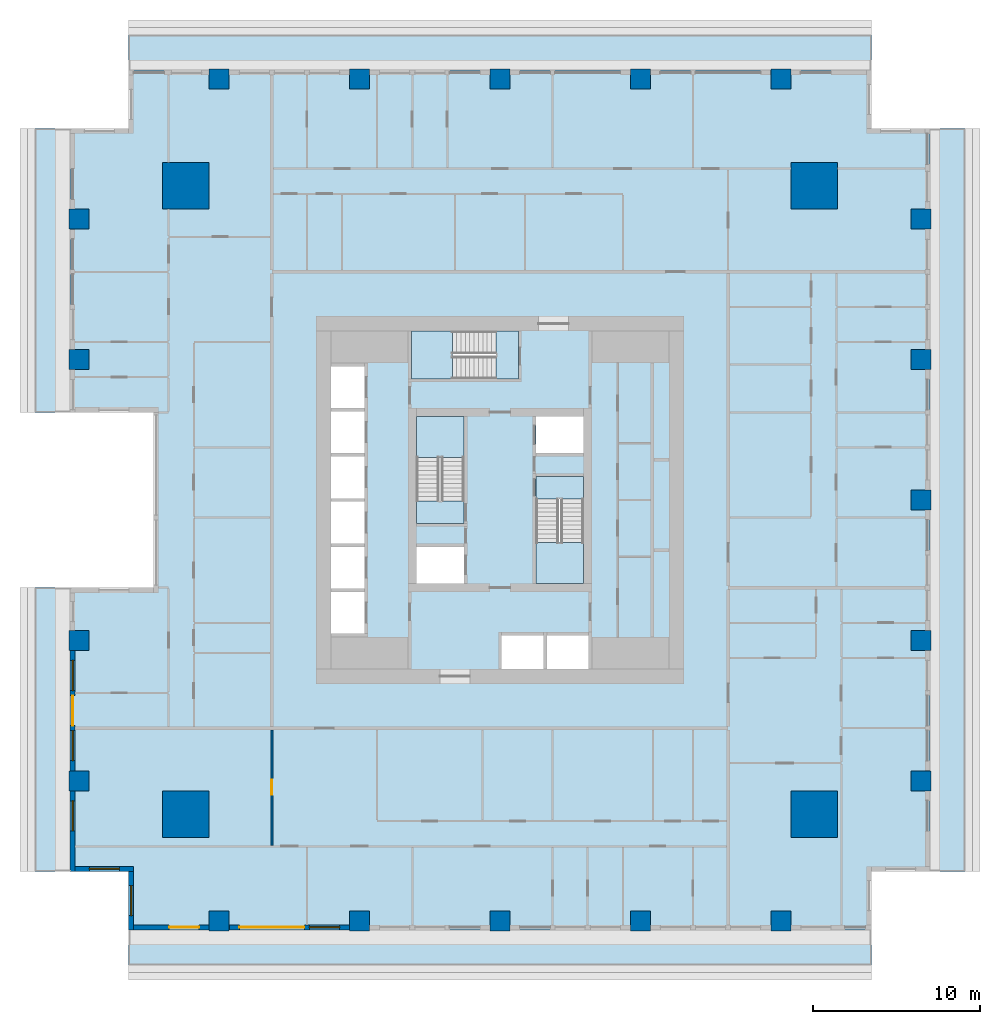
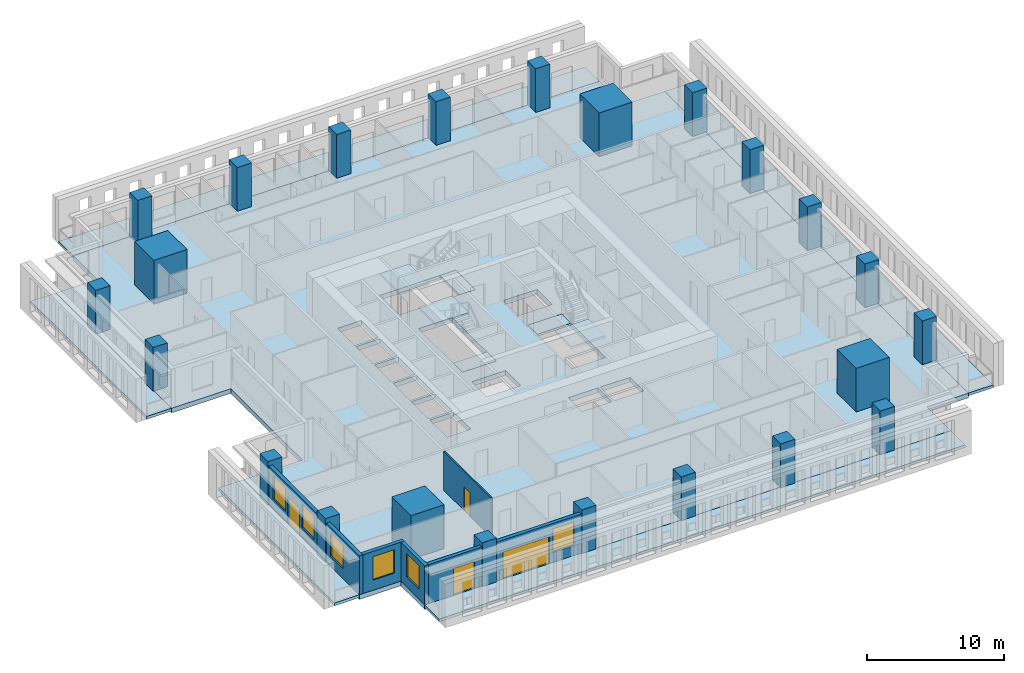
# One storey, part 1 of 14: 23 columns, 12 slabs, 7 walls, 6 windows, 4 doors, 10 openings, 3 elements without a shape of their own.
"""IFC4 building model written with IfcOpenShell, lengths in metres."""

from ifc_helpers import new_model, si_unit, direction, frame, frame_2d, origin, origin_2d, place, context, subcontext, project, spatial, polyline, rectangle, outline, extrude, material, layer, layer_set, material_profile, profile_set, type_object, element, fill, aggregate, save


model = new_model("IFC4")

# Units and contexts
model_context = context("Model", 3, precision=1e-05, world=origin(), true_north=direction((0.0, 1.0)))
body_context = subcontext(model_context, "Body", "Model", "MODEL_VIEW")
ifc_project = project(units=[si_unit("LENGTHUNIT", "METRE"), si_unit("AREAUNIT", "SQUARE_METRE"), si_unit("VOLUMEUNIT", "CUBIC_METRE"), si_unit("PLANEANGLEUNIT", "RADIAN"), si_unit("MASSUNIT", "GRAM", prefix="KILO")], contexts=[model_context])

# Site, building, storey
site_placement = place(None, origin())
site = spatial("IfcSite", under=ifc_project, at=site_placement, CompositionType="ELEMENT")
building_placement = place(site_placement, origin())
building = spatial("IfcBuilding", under=site, at=building_placement, Name="Khepri Terraces", CompositionType="ELEMENT")
storey_placement = place(building_placement, frame((0.0, 0.0, 90.89990234375)))
storey = spatial("IfcBuildingStorey", under=building, at=storey_placement, Name="L21", CompositionType="ELEMENT", Elevation=90.89990234375)

# Columns
ifc_material_1 = material(Name="Concrete C70/85", Category="concrete")
ifc_material_profile_1 = material_profile(ifc_material_1, rectangle(XDim=2.800048828125, YDim=2.800048828125, at=origin_2d()), Name="Concrete C70/85", Category="concrete")
ifc_profile_set_1 = profile_set([ifc_material_profile_1], Name="Concrete C70/85")
column_type_1 = type_object("IfcColumnType", Name="Mega column RC 2800x2800 C70/85", PredefinedType="COLUMN", material=ifc_profile_set_1)
for number, where, z_axis, x_axis, name in (
    (1, (18.800048828125, 18.800048828125, 0.0), (0.0, 0.0, 1.0), (1.0, 0.0, 0.0), "Mega column MEN L21"),
    (2, (18.800048828125, -18.800048828125, 0.0), (0.0, 0.0, 1.0), (1.0, 0.0, 0.0), "Mega column MES L21"),
    (3, (-18.800048828125, 18.800048828125, 0.0), (0.0, 0.0, 1.0), (1.0, 0.0, 0.0), "Mega column MWN L21"),
    (4, (-18.800048828125, -18.800048828125, 0.0), (0.0, 0.0, 1.0), (1.0, 0.0, 0.0), "Mega column MWS L21"),
):
    element("IfcColumn", number, at=place(storey_placement, frame(where, z_axis=z_axis, x_axis=x_axis)), inside=storey, type_object=column_type_1, Name=name, PredefinedType="COLUMN", context=body_context, shape_type="SweptSolid", body=[
        extrude(rectangle(XDim=2.800048828125, YDim=2.800048828125, at=origin_2d()), origin(), (0.0, 0.0, 1.0), 3.900146484375),
    ])
ifc_material_profile_2 = material_profile(ifc_material_1, rectangle(XDim=1.199951171875, YDim=1.199951171875, at=origin_2d()), Name="Concrete C70/85", Category="concrete")
ifc_profile_set_2 = profile_set([ifc_material_profile_2], Name="Concrete C70/85")
column_type_2 = type_object("IfcColumnType", Name="Tower column RC 1200x1200 C70/85", PredefinedType="COLUMN", material=ifc_profile_set_2)
for number, where, z_axis, x_axis, name in (
    (5, (25.199951171875, 0.0, 0.0), (0.0, 0.0, 1.0), (1.0, 0.0, 0.0), "Perimeter column PE+000a L21"),
    (6, (25.199951171875, 8.39990234375, 0.0), (0.0, 0.0, 1.0), (1.0, 0.0, 0.0), "Perimeter column PE+084a L21"),
    (7, (25.199951171875, 16.800048828125, 0.0), (0.0, 0.0, 1.0), (1.0, 0.0, 0.0), "Perimeter column PE+168a L21"),
    (8, (25.199951171875, -8.39990234375, 0.0), (0.0, 0.0, 1.0), (1.0, 0.0, 0.0), "Perimeter column PE-084a L21"),
    (9, (25.199951171875, -16.800048828125, 0.0), (0.0, 0.0, 1.0), (1.0, 0.0, 0.0), "Perimeter column PE-168a L21"),
    (10, (0.0, 25.199951171875, 0.0), (0.0, 0.0, 1.0), (1.0, 0.0, 0.0), "Perimeter column PN+000a L21"),
    (11, (-8.39990234375, 25.199951171875, 0.0), (0.0, 0.0, 1.0), (1.0, 0.0, 0.0), "Perimeter column PN+084a L21"),
    (12, (-16.800048828125, 25.199951171875, 0.0), (0.0, 0.0, 1.0), (1.0, 0.0, 0.0), "Perimeter column PN+168a L21"),
    (13, (8.39990234375, 25.199951171875, 0.0), (0.0, 0.0, 1.0), (1.0, 0.0, 0.0), "Perimeter column PN-084a L21"),
    (14, (16.800048828125, 25.199951171875, 0.0), (0.0, 0.0, 1.0), (1.0, 0.0, 0.0), "Perimeter column PN-168a L21"),
    (15, (0.0, -25.199951171875, 0.0), (0.0, 0.0, 1.0), (1.0, 0.0, 0.0), "Perimeter column PS+000b L21"),
    (16, (8.39990234375, -25.199951171875, 0.0), (0.0, 0.0, 1.0), (1.0, 0.0, 0.0), "Perimeter column PS+084b L21"),
    (17, (16.800048828125, -25.199951171875, 0.0), (0.0, 0.0, 1.0), (1.0, 0.0, 0.0), "Perimeter column PS+168a L21"),
    (18, (-8.39990234375, -25.199951171875, 0.0), (0.0, 0.0, 1.0), (1.0, 0.0, 0.0), "Perimeter column PS-084b L21"),
    (19, (-16.800048828125, -25.199951171875, 0.0), (0.0, 0.0, 1.0), (1.0, 0.0, 0.0), "Perimeter column PS-168a L21"),
    (20, (-25.199951171875, -8.39990234375, 0.0), (0.0, 0.0, 1.0), (1.0, 0.0, 0.0), "Perimeter column PW+084a L21"),
    (21, (-25.199951171875, -16.800048828125, 0.0), (0.0, 0.0, 1.0), (1.0, 0.0, 0.0), "Perimeter column PW+168a L21"),
    (22, (-25.199951171875, 8.39990234375, 0.0), (0.0, 0.0, 1.0), (1.0, 0.0, 0.0), "Perimeter column PW-084a L21"),
    (23, (-25.199951171875, 16.800048828125, 0.0), (0.0, 0.0, 1.0), (1.0, 0.0, 0.0), "Perimeter column PW-168a L21"),
):
    element("IfcColumn", number, at=place(storey_placement, frame(where, z_axis=z_axis, x_axis=x_axis)), inside=storey, type_object=column_type_2, Name=name, PredefinedType="COLUMN", context=body_context, shape_type="SweptSolid", body=[
        extrude(rectangle(XDim=1.199951171875, YDim=1.199951171875, at=origin_2d()), origin(), (0.0, 0.0, 1.0), 3.900146484375),
    ])

# Slabs
ifc_material_2 = material(Name="Concrete C40/50", Category="concrete")
ifc_layer_1 = layer(ifc_material_2, 0.419921875, Name="Concrete C40/50", Category="concrete")
ifc_layer_set_1 = layer_set([ifc_layer_1], Name="Concrete C40/50")
slab_type_1 = type_object("IfcSlabType", Name="Flat plate 420", PredefinedType="FLOOR", material=ifc_layer_set_1)
slab_1_placement = place(storey_placement, frame((0.0, 0.0, -0.419921875)))
element("IfcSlab", 24, at=slab_1_placement, inside=storey, type_object=slab_type_1, Name="Floor slab F01 L21", PredefinedType="FLOOR", context=body_context, shape_type="SweptSolid", body=[
    extrude(outline(polyline([(22.219970703125, 22.219970703125), (25.719970703125, 22.219970703125), (25.719970703125, -22.219970703125), (22.219970703125, -22.219970703125), (22.219970703125, -25.719970703125), (-22.219970703125, -25.719970703125), (-22.219970703125, -22.219970703125), (-25.719970703125, -22.219970703125), (-25.719970703125, -5.25), (-20.719970703125, -5.25), (-20.719970703125, 5.25), (-25.719970703125, 5.25), (-25.719970703125, 22.219970703125), (-22.219970703125, 22.219970703125), (-22.219970703125, 25.719970703125), (22.219970703125, 25.719970703125), (22.219970703125, 22.219970703125)]), holes=[polyline([(5.0, 5.0), (2.14990234375, 5.0), (2.14990234375, 2.800048828125), (5.0, 2.800048828125), (5.0, 5.0)]), polyline([(-2.14990234375, -5.0), (-2.14990234375, -2.800048828125), (-5.0, -2.800048828125), (-5.0, -5.0), (-2.14990234375, -5.0)]), polyline([(-10.10009765625, -8.0), (-8.10009765625, -8.0), (-8.10009765625, -5.5), (-10.10009765625, -5.5), (-10.10009765625, -8.0)]), polyline([(-10.10009765625, -2.800048828125), (-10.10009765625, -5.300048828125), (-8.10009765625, -5.300048828125), (-8.10009765625, -2.800048828125), (-10.10009765625, -2.800048828125)]), polyline([(-8.10009765625, -0.10009765625), (-10.10009765625, -0.10009765625), (-10.10009765625, -2.60009765625), (-8.10009765625, -2.60009765625), (-8.10009765625, -0.10009765625)]), polyline([(-8.10009765625, 0.10009765625), (-8.10009765625, 2.60009765625), (-10.10009765625, 2.60009765625), (-10.10009765625, 0.10009765625), (-8.10009765625, 0.10009765625)]), polyline([(-10.10009765625, 2.800048828125), (-8.10009765625, 2.800048828125), (-8.10009765625, 5.300048828125), (-10.10009765625, 5.300048828125), (-10.10009765625, 2.800048828125)]), polyline([(-10.10009765625, 8.0), (-10.10009765625, 5.5), (-8.10009765625, 5.5), (-8.10009765625, 8.0), (-10.10009765625, 8.0)]), polyline([(2.60009765625, -8.10009765625), (0.10009765625, -8.10009765625), (0.10009765625, -10.10009765625), (2.60009765625, -10.10009765625), (2.60009765625, -8.10009765625)]), polyline([(5.300048828125, -10.10009765625), (5.300048828125, -8.10009765625), (2.800048828125, -8.10009765625), (2.800048828125, -10.10009765625), (5.300048828125, -10.10009765625)]), polyline([(-5.0, -1.39990234375), (-2.14990234375, -1.39990234375), (-2.14990234375, 5.0), (-5.0, 5.0), (-5.0, -1.39990234375)]), polyline([(5.0, -5.0), (5.0, 1.39990234375), (2.14990234375, 1.39990234375), (2.14990234375, -5.0), (5.0, -5.0)]), polyline([(-5.300048828125, 10.10009765625), (-5.300048828125, 7.25), (1.10009765625, 7.25), (1.10009765625, 10.10009765625), (-5.300048828125, 10.10009765625)])]), origin(), (0.0, 0.0, 1.0), 0.419921875),
])
ifc_material_3 = material(Name="Precast concrete C50/60 warm stone", Category="masonry")
ifc_layer_2 = layer(ifc_material_3, 0.25, Name="Precast concrete C50/60 warm stone", Category="masonry")
ifc_layer_set_2 = layer_set([ifc_layer_2], Name="Precast concrete C50/60 warm stone")
slab_type_2 = type_object("IfcSlabType", Name="SLB-BALCONY-250", PredefinedType="FLOOR", material=ifc_layer_set_2)
slab_2_placement = place(storey_placement, frame((0.0, 0.0, -0.25)))
element("IfcSlab", 25, at=slab_2_placement, inside=storey, type_object=slab_type_2, Name="Balcony slab L21 S", PredefinedType="FLOOR", context=body_context, shape_type="SweptSolid", body=[
    extrude(outline(polyline([(-17.39990234375, -25.719970703125), (-22.219970703125, -25.719970703125), (-22.219970703125, -27.820068359375), (22.219970703125, -27.820068359375), (22.219970703125, -25.719970703125), (17.39990234375, -25.719970703125), (17.39990234375, -25.800048828125), (16.199951171875, -25.800048828125), (16.199951171875, -25.719970703125), (9.0, -25.719970703125), (9.0, -25.800048828125), (7.800048828125, -25.800048828125), (7.800048828125, -25.719970703125), (0.60009765625, -25.719970703125), (0.60009765625, -25.800048828125), (-0.60009765625, -25.800048828125), (-0.60009765625, -25.719970703125), (-7.800048828125, -25.719970703125), (-7.800048828125, -25.800048828125), (-9.0, -25.800048828125), (-9.0, -25.719970703125), (-16.199951171875, -25.719970703125), (-16.199951171875, -25.800048828125), (-17.39990234375, -25.800048828125), (-17.39990234375, -25.719970703125)])), origin(), (0.0, 0.0, 1.0), 0.25),
])
slab_3_placement = place(storey_placement, frame((0.0, 0.0, -0.25)))
element("IfcSlab", 26, at=slab_3_placement, inside=storey, type_object=slab_type_2, Name="Balcony slab L21 E", PredefinedType="FLOOR", context=body_context, shape_type="SweptSolid", body=[
    extrude(outline(polyline([(25.719970703125, -17.39990234375), (25.719970703125, -22.219970703125), (27.820068359375, -22.219970703125), (27.820068359375, 22.219970703125), (25.719970703125, 22.219970703125), (25.719970703125, 17.39990234375), (25.800048828125, 17.39990234375), (25.800048828125, 16.199951171875), (25.719970703125, 16.199951171875), (25.719970703125, 9.0), (25.800048828125, 9.0), (25.800048828125, 7.800048828125), (25.719970703125, 7.800048828125), (25.719970703125, 0.60009765625), (25.800048828125, 0.60009765625), (25.800048828125, -0.60009765625), (25.719970703125, -0.60009765625), (25.719970703125, -7.800048828125), (25.800048828125, -7.800048828125), (25.800048828125, -9.0), (25.719970703125, -9.0), (25.719970703125, -16.199951171875), (25.800048828125, -16.199951171875), (25.800048828125, -17.39990234375), (25.719970703125, -17.39990234375)])), origin(), (0.0, 0.0, 1.0), 0.25),
])
slab_4_placement = place(storey_placement, frame((0.0, 0.0, -0.25)))
element("IfcSlab", 27, at=slab_4_placement, inside=storey, type_object=slab_type_2, Name="Balcony slab L21 N", PredefinedType="FLOOR", context=body_context, shape_type="SweptSolid", body=[
    extrude(outline(polyline([(17.39990234375, 25.719970703125), (22.219970703125, 25.719970703125), (22.219970703125, 27.820068359375), (-22.219970703125, 27.820068359375), (-22.219970703125, 25.719970703125), (-17.39990234375, 25.719970703125), (-17.39990234375, 25.800048828125), (-16.199951171875, 25.800048828125), (-16.199951171875, 25.719970703125), (-9.0, 25.719970703125), (-9.0, 25.800048828125), (-7.800048828125, 25.800048828125), (-7.800048828125, 25.719970703125), (-0.60009765625, 25.719970703125), (-0.60009765625, 25.800048828125), (0.60009765625, 25.800048828125), (0.60009765625, 25.719970703125), (7.800048828125, 25.719970703125), (7.800048828125, 25.800048828125), (9.0, 25.800048828125), (9.0, 25.719970703125), (16.199951171875, 25.719970703125), (16.199951171875, 25.800048828125), (17.39990234375, 25.800048828125), (17.39990234375, 25.719970703125)])), origin(), (0.0, 0.0, 1.0), 0.25),
])
slab_5_placement = place(storey_placement, frame((0.0, 0.0, -0.25)))
element("IfcSlab", 28, at=slab_5_placement, inside=storey, type_object=slab_type_2, Name="Balcony slab L21 W", PredefinedType="FLOOR", context=body_context, shape_type="SweptSolid", body=[
    extrude(outline(polyline([(-25.719970703125, 17.39990234375), (-25.719970703125, 22.219970703125), (-27.820068359375, 22.219970703125), (-27.820068359375, 5.25), (-25.719970703125, 5.25), (-25.719970703125, 7.800048828125), (-25.800048828125, 7.800048828125), (-25.800048828125, 9.0), (-25.719970703125, 9.0), (-25.719970703125, 16.199951171875), (-25.800048828125, 16.199951171875), (-25.800048828125, 17.39990234375), (-25.719970703125, 17.39990234375)])), origin(), (0.0, 0.0, 1.0), 0.25),
])
slab_6_placement = place(storey_placement, frame((0.0, 0.0, -0.25)))
element("IfcSlab", 29, at=slab_6_placement, inside=storey, type_object=slab_type_2, Name="Balcony slab L21 W", PredefinedType="FLOOR", context=body_context, shape_type="SweptSolid", body=[
    extrude(outline(polyline([(-25.719970703125, -7.800048828125), (-25.719970703125, -5.25), (-27.820068359375, -5.25), (-27.820068359375, -22.219970703125), (-25.719970703125, -22.219970703125), (-25.719970703125, -17.39990234375), (-25.800048828125, -17.39990234375), (-25.800048828125, -16.199951171875), (-25.719970703125, -16.199951171875), (-25.719970703125, -9.0), (-25.800048828125, -9.0), (-25.800048828125, -7.800048828125), (-25.719970703125, -7.800048828125)])), origin(), (0.0, 0.0, 1.0), 0.25),
])

# Stair, slabs
stair_type = type_object("IfcStairType", Name="STAIR-RC-22R", PredefinedType="HALF_TURN_STAIR", material=ifc_material_2)
stair_1_placement = place(storey_placement, origin())
stair_1 = element("IfcStair", 30, at=stair_1_placement, inside=storey, type_object=stair_type, Name="L21 Exit Stair ST-1", PredefinedType="HALF_TURN_STAIR")
ifc_layer_3 = layer(ifc_material_2, 0.199951171875, Name="Concrete C40/50", Category="concrete")
ifc_layer_set_3 = layer_set([ifc_layer_3], Name="Concrete C40/50")
slab_type_3 = type_object("IfcSlabType", Name="SLB-CORE-LANDING", PredefinedType="LANDING", material=ifc_layer_set_3)
slab_7_placement = place(storey_placement, frame((0.0, 0.0, -0.199951171875)))
slab_7 = element("IfcSlab", 31, at=slab_7_placement, type_object=slab_type_3, Name="ST-1 landing 1", PredefinedType="LANDING", context=body_context, shape_type="SweptSolid", body=[
    extrude(outline(polyline([(-2.14990234375, -1.39990234375), (-2.14990234375, -0.050048828125), (-5.0, -0.050048828125), (-5.0, -1.39990234375), (-2.14990234375, -1.39990234375)])), origin(), (0.0, 0.0, 1.0), 0.199951171875),
])
slab_8_placement = place(storey_placement, frame((0.0, 0.0, 1.75)))
slab_8 = element("IfcSlab", 32, at=slab_8_placement, type_object=slab_type_3, Name="ST-1 landing 2", PredefinedType="LANDING", context=body_context, shape_type="SweptSolid", body=[
    extrude(outline(polyline([(-2.14990234375, 2.550048828125), (-2.14990234375, 5.0), (-5.0, 5.0), (-5.0, 2.550048828125), (-2.14990234375, 2.550048828125)])), origin(), (0.0, 0.0, 1.0), 0.2001953125),
])
aggregate(stair_1, [slab_7, slab_8])

stair_2_placement = place(storey_placement, origin())
stair_2 = element("IfcStair", 33, at=stair_2_placement, inside=storey, type_object=stair_type, Name="L21 Exit Stair ST-2", PredefinedType="HALF_TURN_STAIR")
slab_9_placement = place(storey_placement, frame((0.0, 0.0, -0.199951171875)))
slab_9 = element("IfcSlab", 34, at=slab_9_placement, type_object=slab_type_3, Name="ST-2 landing 1", PredefinedType="LANDING", context=body_context, shape_type="SweptSolid", body=[
    extrude(outline(polyline([(2.14990234375, 1.39990234375), (2.14990234375, 0.050048828125), (5.0, 0.050048828125), (5.0, 1.39990234375), (2.14990234375, 1.39990234375)])), origin(), (0.0, 0.0, 1.0), 0.199951171875),
])
slab_10_placement = place(storey_placement, frame((0.0, 0.0, 1.75)))
slab_10 = element("IfcSlab", 35, at=slab_10_placement, type_object=slab_type_3, Name="ST-2 landing 2", PredefinedType="LANDING", context=body_context, shape_type="SweptSolid", body=[
    extrude(outline(polyline([(2.14990234375, -2.550048828125), (2.14990234375, -5.0), (5.0, -5.0), (5.0, -2.550048828125), (2.14990234375, -2.550048828125)])), origin(), (0.0, 0.0, 1.0), 0.2001953125),
])
aggregate(stair_2, [slab_9, slab_10])

stair_3_placement = place(storey_placement, origin())
stair_3 = element("IfcStair", 36, at=stair_3_placement, inside=storey, type_object=stair_type, Name="L21 Exit Stair ST-3", PredefinedType="HALF_TURN_STAIR")
slab_11_placement = place(storey_placement, frame((0.0, 0.0, -0.199951171875)))
slab_11 = element("IfcSlab", 37, at=slab_11_placement, type_object=slab_type_3, Name="ST-3 landing 1", PredefinedType="LANDING", context=body_context, shape_type="SweptSolid", body=[
    extrude(outline(polyline([(1.10009765625, 10.10009765625), (-0.25, 10.10009765625), (-0.25, 7.25), (1.10009765625, 7.25), (1.10009765625, 10.10009765625)])), origin(), (0.0, 0.0, 1.0), 0.199951171875),
])
slab_12_placement = place(storey_placement, frame((0.0, 0.0, 1.75)))
slab_12 = element("IfcSlab", 38, at=slab_12_placement, type_object=slab_type_3, Name="ST-3 landing 2", PredefinedType="LANDING", context=body_context, shape_type="SweptSolid", body=[
    extrude(outline(polyline([(-2.85009765625, 10.10009765625), (-5.300048828125, 10.10009765625), (-5.300048828125, 7.25), (-2.85009765625, 7.25), (-2.85009765625, 10.10009765625)])), origin(), (0.0, 0.0, 1.0), 0.2001953125),
])
aggregate(stair_3, [slab_11, slab_12])

# Wall, openings, door, windows
ifc_layer_4 = layer(ifc_material_3, 0.300048828125, Name="Precast concrete C50/60 warm stone", Category="masonry")
ifc_layer_set_4 = layer_set([ifc_layer_4], Name="Precast concrete C50/60 warm stone")
wall_type_1 = type_object("IfcWallType", Name="WL-EXT-PRECAST-300", PredefinedType="STANDARD", material=ifc_layer_set_4)
wall_1_placement = place(storey_placement, frame((-25.570068359375, -9.0, 0.0), z_axis=(0.0, 0.0, 1.0), x_axis=(0.0, -1.0, 0.0)))
wall_1 = element("IfcWall", 39, at=wall_1_placement, inside=storey, type_object=wall_type_1, Name="External wall L21 W", PredefinedType="STANDARD", context=body_context, shape_type="SweptSolid", body=[
    extrude(rectangle(XDim=7.199951171875, YDim=0.300048828125, at=frame_2d((3.60009765625, 0.0))), origin(), (0.0, 0.0, 1.0), 3.47998046875),
])
opening_1_placement = place(wall_1_placement, frame((0.60009765625, 0.0, 0.89990234375)))
opening_1 = element("IfcOpeningElement", 40, at=opening_1_placement, cuts=wall_1, Name="Opening W1", PredefinedType="OPENING", context=body_context, shape_type="SweptSolid", body=[
    extrude(rectangle(XDim=1.800048828125, YDim=2.10009765625, at=frame_2d((0.89990234375, 1.050048828125))), frame((0.0, 0.16015625, 0.0), z_axis=(0.0, -1.0, 0.0), x_axis=(1.0, 0.0, 0.0)), (0.0, 0.0, 1.0), 0.320068359375),
])
opening_2_placement = place(wall_1_placement, frame((2.699951171875, 0.0, 0.0)))
opening_2 = element("IfcOpeningElement", 41, at=opening_2_placement, cuts=wall_1, Name="Opening ED-L21-17", PredefinedType="OPENING", context=body_context, shape_type="SweptSolid", body=[
    extrude(rectangle(XDim=1.800048828125, YDim=2.39990234375, at=frame_2d((0.89990234375, 1.199951171875))), frame((0.0, 0.16015625, 0.0), z_axis=(0.0, -1.0, 0.0), x_axis=(1.0, 0.0, 0.0)), (0.0, 0.0, 1.0), 0.320068359375),
])
opening_3_placement = place(wall_1_placement, frame((4.800048828125, 0.0, 0.89990234375)))
opening_3 = element("IfcOpeningElement", 42, at=opening_3_placement, cuts=wall_1, Name="Opening W1", PredefinedType="OPENING", context=body_context, shape_type="SweptSolid", body=[
    extrude(rectangle(XDim=1.800048828125, YDim=2.10009765625, at=frame_2d((0.89990234375, 1.050048828125))), frame((0.0, 0.16015625, 0.0), z_axis=(0.0, -1.0, 0.0), x_axis=(1.0, 0.0, 0.0)), (0.0, 0.0, 1.0), 0.320068359375),
])
ifc_material_4 = material(Name="Anodised aluminium bronze glazed door", Category="aluminium")
door_type_1 = type_object("IfcDoorType", Name="DR-BAL-SLIDE-1800x2400", OperationType="NOTDEFINED", PredefinedType="DOOR", material=ifc_material_4)
door_1_placement = place(opening_2_placement, origin())
door_1 = element("IfcDoor", 43, at=door_1_placement, inside=storey, type_object=door_type_1, Name="Balcony door L21 W", OperationType="SLIDING_TO_RIGHT", OverallHeight=2.39990234375, OverallWidth=1.800048828125, PredefinedType="DOOR", context=body_context, shape_type="SweptSolid", body=[
    extrude(rectangle(XDim=1.800048828125, YDim=2.39990234375, at=frame_2d((0.89990234375, 1.199951171875))), frame((0.0, 0.02490234375, 0.0), z_axis=(0.0, -1.0, 0.0), x_axis=(1.0, 0.0, 0.0)), (0.0, 0.0, 1.0), 0.050048828125),
])
fill(opening_2, door_1)
ifc_material_5 = material(Name="Clear glass", Category="glass")
window_type = type_object("IfcWindowType", Name="WIN-RES-1800x2100", PartitioningType="SINGLE_PANEL", PredefinedType="WINDOW", material=ifc_material_5)
window_1_placement = place(opening_1_placement, origin())
window_1 = element("IfcWindow", 44, at=window_1_placement, inside=storey, type_object=window_type, Name="Window L21 W", OverallHeight=2.10009765625, OverallWidth=1.800048828125, PartitioningType="SINGLE_PANEL", PredefinedType="WINDOW", context=body_context, shape_type="SweptSolid", body=[
    extrude(rectangle(XDim=1.800048828125, YDim=2.10009765625, at=frame_2d((0.89990234375, 1.050048828125))), frame((0.0, 0.030029296875, 0.0), z_axis=(0.0, -1.0, 0.0), x_axis=(1.0, 0.0, 0.0)), (0.0, 0.0, 1.0), 0.06005859375),
])
fill(opening_1, window_1)
window_2_placement = place(opening_3_placement, origin())
window_2 = element("IfcWindow", 45, at=window_2_placement, inside=storey, type_object=window_type, Name="Window L21 W", OverallHeight=2.10009765625, OverallWidth=1.800048828125, PartitioningType="SINGLE_PANEL", PredefinedType="WINDOW", context=body_context, shape_type="SweptSolid", body=[
    extrude(rectangle(XDim=1.800048828125, YDim=2.10009765625, at=frame_2d((0.89990234375, 1.050048828125))), frame((0.0, 0.030029296875, 0.0), z_axis=(0.0, -1.0, 0.0), x_axis=(1.0, 0.0, 0.0)), (0.0, 0.0, 1.0), 0.06005859375),
])
fill(opening_3, window_2)

# Wall, opening, window
wall_2_placement = place(storey_placement, frame((-25.570068359375, -17.39990234375, 0.0), z_axis=(0.0, 0.0, 1.0), x_axis=(0.0, -1.0, 0.0)))
wall_2 = element("IfcWall", 46, at=wall_2_placement, inside=storey, type_object=wall_type_1, Name="External wall L21 W", PredefinedType="STANDARD", context=body_context, shape_type="SweptSolid", body=[
    extrude(rectangle(XDim=4.820068359375, YDim=0.300048828125, at=frame_2d((2.41015625, 0.0))), origin(), (0.0, 0.0, 1.0), 3.47998046875),
])
opening_4_placement = place(wall_2_placement, frame((0.60009765625, 0.0, 0.89990234375)))
opening_4 = element("IfcOpeningElement", 47, at=opening_4_placement, cuts=wall_2, Name="Opening W1", PredefinedType="OPENING", context=body_context, shape_type="SweptSolid", body=[
    extrude(rectangle(XDim=1.800048828125, YDim=2.10009765625, at=frame_2d((0.89990234375, 1.050048828125))), frame((0.0, 0.16015625, 0.0), z_axis=(0.0, -1.0, 0.0), x_axis=(1.0, 0.0, 0.0)), (0.0, 0.0, 1.0), 0.320068359375),
])
window_3_placement = place(opening_4_placement, origin())
window_3 = element("IfcWindow", 48, at=window_3_placement, inside=storey, type_object=window_type, Name="Window L21 W", OverallHeight=2.10009765625, OverallWidth=1.800048828125, PartitioningType="SINGLE_PANEL", PredefinedType="WINDOW", context=body_context, shape_type="SweptSolid", body=[
    extrude(rectangle(XDim=1.800048828125, YDim=2.10009765625, at=frame_2d((0.89990234375, 1.050048828125))), frame((0.0, 0.030029296875, 0.0), z_axis=(0.0, -1.0, 0.0), x_axis=(1.0, 0.0, 0.0)), (0.0, 0.0, 1.0), 0.06005859375),
])
fill(opening_4, window_3)

wall_3_placement = place(storey_placement, frame((-25.419921875, -22.070068359375, 0.0), z_axis=(0.0, 0.0, 1.0), x_axis=(1.0, 0.0, 0.0)))
wall_3 = element("IfcWall", 49, at=wall_3_placement, inside=storey, type_object=wall_type_1, Name="External wall L21 S", PredefinedType="STANDARD", context=body_context, shape_type="SweptSolid", body=[
    extrude(rectangle(XDim=3.5, YDim=0.300048828125, at=frame_2d((1.75, 0.0))), origin(), (0.0, 0.0, 1.0), 3.47998046875),
])
opening_5_placement = place(wall_3_placement, frame((0.85009765625, 0.0, 0.89990234375)))
opening_5 = element("IfcOpeningElement", 50, at=opening_5_placement, cuts=wall_3, Name="Opening W1", PredefinedType="OPENING", context=body_context, shape_type="SweptSolid", body=[
    extrude(rectangle(XDim=1.800048828125, YDim=2.10009765625, at=frame_2d((0.89990234375, 1.050048828125))), frame((0.0, 0.16015625, 0.0), z_axis=(0.0, -1.0, 0.0), x_axis=(1.0, 0.0, 0.0)), (0.0, 0.0, 1.0), 0.320068359375),
])
window_4_placement = place(opening_5_placement, origin())
window_4 = element("IfcWindow", 51, at=window_4_placement, inside=storey, type_object=window_type, Name="Window L21 S", OverallHeight=2.10009765625, OverallWidth=1.800048828125, PartitioningType="SINGLE_PANEL", PredefinedType="WINDOW", context=body_context, shape_type="SweptSolid", body=[
    extrude(rectangle(XDim=1.800048828125, YDim=2.10009765625, at=frame_2d((0.89990234375, 1.050048828125))), frame((0.0, 0.030029296875, 0.0), z_axis=(0.0, -1.0, 0.0), x_axis=(1.0, 0.0, 0.0)), (0.0, 0.0, 1.0), 0.06005859375),
])
fill(opening_5, window_4)

wall_4_placement = place(storey_placement, frame((-22.070068359375, -22.219970703125, 0.0), z_axis=(0.0, 0.0, 1.0), x_axis=(0.0, -1.0, 0.0)))
wall_4 = element("IfcWall", 52, at=wall_4_placement, inside=storey, type_object=wall_type_1, Name="External wall L21 W", PredefinedType="STANDARD", context=body_context, shape_type="SweptSolid", body=[
    extrude(rectangle(XDim=3.5, YDim=0.300048828125, at=frame_2d((1.75, 0.0))), origin(), (0.0, 0.0, 1.0), 3.47998046875),
])
opening_6_placement = place(wall_4_placement, frame((0.85009765625, 0.0, 0.89990234375)))
opening_6 = element("IfcOpeningElement", 53, at=opening_6_placement, cuts=wall_4, Name="Opening W1", PredefinedType="OPENING", context=body_context, shape_type="SweptSolid", body=[
    extrude(rectangle(XDim=1.800048828125, YDim=2.10009765625, at=frame_2d((0.89990234375, 1.050048828125))), frame((0.0, 0.16015625, 0.0), z_axis=(0.0, -1.0, 0.0), x_axis=(1.0, 0.0, 0.0)), (0.0, 0.0, 1.0), 0.320068359375),
])
window_5_placement = place(opening_6_placement, origin())
window_5 = element("IfcWindow", 54, at=window_5_placement, inside=storey, type_object=window_type, Name="Window L21 W", OverallHeight=2.10009765625, OverallWidth=1.800048828125, PartitioningType="SINGLE_PANEL", PredefinedType="WINDOW", context=body_context, shape_type="SweptSolid", body=[
    extrude(rectangle(XDim=1.800048828125, YDim=2.10009765625, at=frame_2d((0.89990234375, 1.050048828125))), frame((0.0, 0.030029296875, 0.0), z_axis=(0.0, -1.0, 0.0), x_axis=(1.0, 0.0, 0.0)), (0.0, 0.0, 1.0), 0.06005859375),
])
fill(opening_6, window_5)

# Wall, opening, door
wall_5_placement = place(storey_placement, frame((-21.919921875, -25.570068359375, 0.0), z_axis=(0.0, 0.0, 1.0), x_axis=(1.0, 0.0, 0.0)))
wall_5 = element("IfcWall", 55, at=wall_5_placement, inside=storey, type_object=wall_type_1, Name="External wall L21 S", PredefinedType="STANDARD", context=body_context, shape_type="SweptSolid", body=[
    extrude(rectangle(XDim=4.52001953125, YDim=0.300048828125, at=frame_2d((2.260009765625, 0.0))), origin(), (0.0, 0.0, 1.0), 3.47998046875),
])
opening_7_placement = place(wall_5_placement, frame((2.1201171875, 0.0, 0.0)))
opening_7 = element("IfcOpeningElement", 56, at=opening_7_placement, cuts=wall_5, Name="Opening ED-L21-18", PredefinedType="OPENING", context=body_context, shape_type="SweptSolid", body=[
    extrude(rectangle(XDim=1.800048828125, YDim=2.39990234375, at=frame_2d((0.89990234375, 1.199951171875))), frame((0.0, 0.16015625, 0.0), z_axis=(0.0, -1.0, 0.0), x_axis=(1.0, 0.0, 0.0)), (0.0, 0.0, 1.0), 0.320068359375),
])
door_2_placement = place(opening_7_placement, origin())
door_2 = element("IfcDoor", 57, at=door_2_placement, inside=storey, type_object=door_type_1, Name="Balcony door L21 S", OperationType="SLIDING_TO_RIGHT", OverallHeight=2.39990234375, OverallWidth=1.800048828125, PredefinedType="DOOR", context=body_context, shape_type="SweptSolid", body=[
    extrude(rectangle(XDim=1.800048828125, YDim=2.39990234375, at=frame_2d((0.89990234375, 1.199951171875))), frame((0.0, 0.02490234375, 0.0), z_axis=(0.0, -1.0, 0.0), x_axis=(1.0, 0.0, 0.0)), (0.0, 0.0, 1.0), 0.050048828125),
])
fill(opening_7, door_2)

# Wall, openings, door, window
wall_6_placement = place(storey_placement, frame((-16.199951171875, -25.570068359375, 0.0), z_axis=(0.0, 0.0, 1.0), x_axis=(1.0, 0.0, 0.0)))
wall_6 = element("IfcWall", 58, at=wall_6_placement, inside=storey, type_object=wall_type_1, Name="External wall L21 S", PredefinedType="STANDARD", context=body_context, shape_type="SweptSolid", body=[
    extrude(rectangle(XDim=7.199951171875, YDim=0.300048828125, at=frame_2d((3.60009765625, 0.0))), origin(), (0.0, 0.0, 1.0), 3.47998046875),
])
opening_8_placement = place(wall_6_placement, frame((0.60009765625, 0.0, 0.0)))
opening_8 = element("IfcOpeningElement", 59, at=opening_8_placement, cuts=wall_6, Name="Opening ED-L21-19", PredefinedType="OPENING", context=body_context, shape_type="SweptSolid", body=[
    extrude(rectangle(XDim=3.89990234375, YDim=2.39990234375, at=frame_2d((1.949951171875, 1.199951171875))), frame((0.0, 0.16015625, 0.0), z_axis=(0.0, -1.0, 0.0), x_axis=(1.0, 0.0, 0.0)), (0.0, 0.0, 1.0), 0.320068359375),
])
opening_9_placement = place(wall_6_placement, frame((4.800048828125, 0.0, 0.89990234375)))
opening_9 = element("IfcOpeningElement", 60, at=opening_9_placement, cuts=wall_6, Name="Opening W1", PredefinedType="OPENING", context=body_context, shape_type="SweptSolid", body=[
    extrude(rectangle(XDim=1.800048828125, YDim=2.10009765625, at=frame_2d((0.89990234375, 1.050048828125))), frame((0.0, 0.16015625, 0.0), z_axis=(0.0, -1.0, 0.0), x_axis=(1.0, 0.0, 0.0)), (0.0, 0.0, 1.0), 0.320068359375),
])
door_type_2 = type_object("IfcDoorType", Name="DR-BAL-SLIDE-3900x2400", OperationType="NOTDEFINED", PredefinedType="DOOR", material=ifc_material_4)
door_3_placement = place(opening_8_placement, origin())
door_3 = element("IfcDoor", 61, at=door_3_placement, inside=storey, type_object=door_type_2, Name="Balcony door L21 S", OperationType="SLIDING_TO_LEFT", OverallHeight=2.39990234375, OverallWidth=3.89990234375, PredefinedType="DOOR", context=body_context, shape_type="SweptSolid", body=[
    extrude(rectangle(XDim=3.89990234375, YDim=2.39990234375, at=frame_2d((1.949951171875, 1.199951171875))), frame((0.0, 0.02490234375, 0.0), z_axis=(0.0, -1.0, 0.0), x_axis=(1.0, 0.0, 0.0)), (0.0, 0.0, 1.0), 0.050048828125),
])
fill(opening_8, door_3)
window_6_placement = place(opening_9_placement, origin())
window_6 = element("IfcWindow", 62, at=window_6_placement, inside=storey, type_object=window_type, Name="Window L21 S", OverallHeight=2.10009765625, OverallWidth=1.800048828125, PartitioningType="SINGLE_PANEL", PredefinedType="WINDOW", context=body_context, shape_type="SweptSolid", body=[
    extrude(rectangle(XDim=1.800048828125, YDim=2.10009765625, at=frame_2d((0.89990234375, 1.050048828125))), frame((0.0, 0.030029296875, 0.0), z_axis=(0.0, -1.0, 0.0), x_axis=(1.0, 0.0, 0.0)), (0.0, 0.0, 1.0), 0.06005859375),
])
fill(opening_9, window_6)

# Wall, opening, door
ifc_material_6 = material(Name="Gypsum plasterboard partition")
ifc_layer_5 = layer(ifc_material_6, 0.1201171875, Name="Gypsum plasterboard partition")
ifc_layer_set_5 = layer_set([ifc_layer_5], Name="Gypsum plasterboard partition")
wall_type_2 = type_object("IfcWallType", Name="WL-PART-120", PredefinedType="PARTITIONING", material=ifc_layer_set_5)
wall_7_placement = place(storey_placement, frame((-13.64990234375, -20.659912109375, 0.0), z_axis=(0.0, 0.0, 1.0), x_axis=(0.0, 1.0, 0.0)))
wall_7 = element("IfcWall", 63, at=wall_7_placement, inside=storey, type_object=wall_type_2, Name="Partition P-010 L21", PredefinedType="PARTITIONING", context=body_context, shape_type="SweptSolid", body=[
    extrude(rectangle(XDim=6.909912109375, YDim=0.1201171875, at=frame_2d((3.455078125, 0.0))), origin(), (0.0, 0.0, 1.0), 3.47998046875),
])
opening_10_placement = place(wall_7_placement, frame((3.02490234375, 0.0, 0.0)))
opening_10 = element("IfcOpeningElement", 64, at=opening_10_placement, cuts=wall_7, Name="Opening D3", PredefinedType="OPENING", context=body_context, shape_type="SweptSolid", body=[
    extrude(rectangle(XDim=0.89990234375, YDim=2.10009765625, at=frame_2d((0.449951171875, 1.050048828125))), frame((0.0, 0.070068359375, 0.0), z_axis=(0.0, -1.0, 0.0), x_axis=(1.0, 0.0, 0.0)), (0.0, 0.0, 1.0), 0.14013671875),
])
ifc_material_7 = material(Name="Timber door leaf", Category="wood")
door_type_3 = type_object("IfcDoorType", Name="DR-INT-900", OperationType="NOTDEFINED", PredefinedType="DOOR", material=ifc_material_7)
door_4_placement = place(opening_10_placement, origin())
door_4 = element("IfcDoor", 65, at=door_4_placement, inside=storey, type_object=door_type_3, Name="Door Library", OperationType="SINGLE_SWING_RIGHT", OverallHeight=2.10009765625, OverallWidth=0.89990234375, PredefinedType="DOOR", context=body_context, shape_type="SweptSolid", body=[
    extrude(rectangle(XDim=0.89990234375, YDim=2.10009765625, at=frame_2d((0.449951171875, 1.050048828125))), frame((0.0, 0.02490234375, 0.0), z_axis=(0.0, -1.0, 0.0), x_axis=(1.0, 0.0, 0.0)), (0.0, 0.0, 1.0), 0.050048828125),
])
fill(opening_10, door_4)

save(model, "model.ifc")
